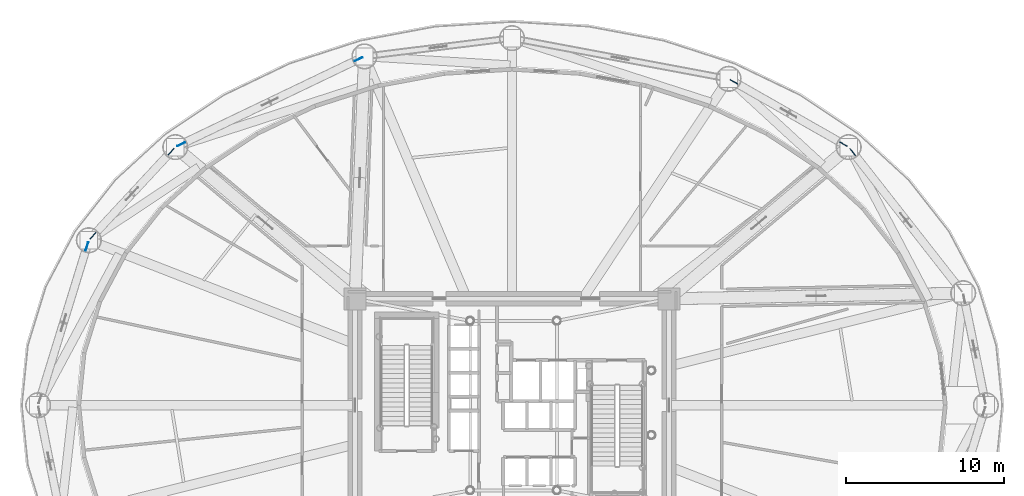
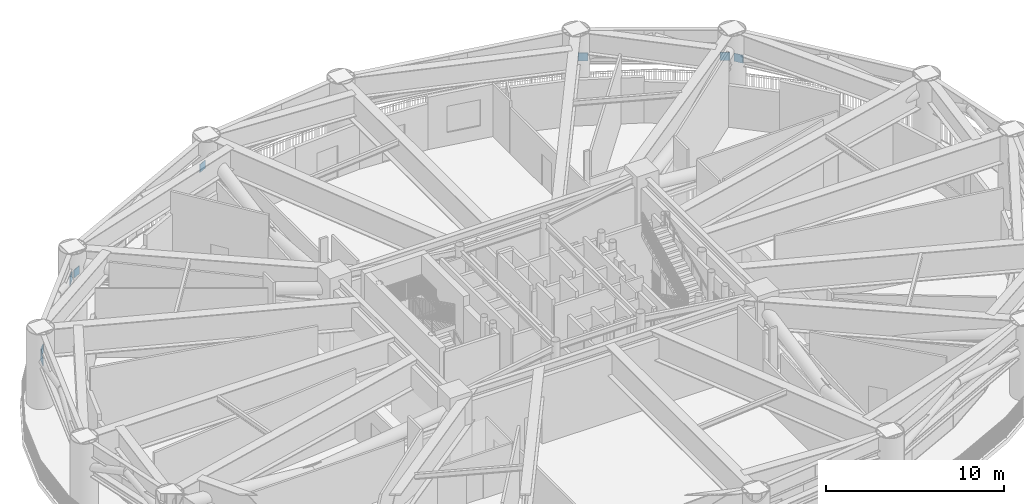
# One storey, part 10 of 22: 8 plates.
"""IFC4 building model written with IfcOpenShell, lengths in metres."""

from ifc_helpers import new_model, si_unit, direction, frame, origin, origin_2d, place, context, subcontext, project, spatial, rectangle, extrude, source, transform, mapped, material, layer, layer_set, type_object, element, save


model = new_model("IFC4")

# Units and contexts
model_context = context("Model", 3, precision=1e-05, world=origin(), true_north=direction((0.0, 1.0)))
body_context = subcontext(model_context, "Body", "Model", "MODEL_VIEW")
ifc_project = project(units=[si_unit("LENGTHUNIT", "METRE"), si_unit("AREAUNIT", "SQUARE_METRE"), si_unit("VOLUMEUNIT", "CUBIC_METRE"), si_unit("PLANEANGLEUNIT", "RADIAN"), si_unit("MASSUNIT", "GRAM", prefix="KILO")], contexts=[model_context])

# Site, building, storey
site_placement = place(None, origin())
site = spatial("IfcSite", under=ifc_project, at=site_placement, CompositionType="ELEMENT")
building_placement = place(site_placement, origin())
building = spatial("IfcBuilding", under=site, at=building_placement, Name="Linh Dai School and Residence Tower", CompositionType="ELEMENT")
storey_placement = place(building_placement, frame((0.0, 0.0, 87.0)))
storey = spatial("IfcBuildingStorey", under=building, at=storey_placement, Name="L20", CompositionType="ELEMENT", Elevation=87.0)

# Plates
ifc_material = material(Name="Structural Steel S355JR", Category="steel")
ifc_layer = layer(ifc_material, 0.0400390625)
ifc_layer_set = layer_set([ifc_layer], Name="Structural Steel S355JR")
plate_type = type_object("IfcPlateType", Name="PLT-GP1", PredefinedType="USERDEFINED", material=ifc_layer_set)
shared_shape = source(origin(), body_context, "Body", "SweptSolid", [
    extrude(rectangle(XDim=0.550048828125, YDim=0.0400390625, at=origin_2d()), origin(), (0.0, 0.0, 1.0), 0.550048828125),
])
for number, where, z_axis, x_axis, name in (
    (1, (57.603271484375, 43.049560546875, 2.8818359375), (0.0, 0.0, 1.0), (-0.616865363532, 0.787068690315, 0.0), "L20 Belt Truss BT2 Root End Gusset 02B"),
    (2, (57.008544921875, 43.56494140625, 2.9150390625), (0.0, 0.0, 1.0), (-0.869278262826, 0.494323074293, 0.0), "L20 Belt Truss BT2 Root End Gusset 03A"),
    (3, (50.08251953125, 47.50341796875, 2.9150390625), (0.0, 0.0, 1.0), (-0.869278262826, 0.494323074293, 0.0), "L20 Belt Truss BT2 Root End Gusset 03B"),
    (4, (26.2734375, 48.94287109375, 2.8701171875), (0.0, 0.0, 1.0), (-0.901726332669, -0.432307322367, 0.0), "L20 Belt Truss BT2 Root End Gusset 06A"),
    (5, (15.01611328125, 43.5458984375, 2.8701171875), (0.0, 0.0, 1.0), (-0.901726332669, -0.432307322367, 0.0), "L20 Belt Truss BT2 Root End Gusset 06B"),
    (6, (14.380615234375, 43.081787109375, 2.92578125), (0.0, 0.0, 1.0), (-0.68039596357, -0.73284468529, 0.0), "L20 Belt Truss BT2 Root End Gusset 07A"),
    (7, (9.43115234375, 37.7509765625, 2.92578125), (0.0, 0.0, 1.0), (-0.68039596357, -0.73284468529, 0.0), "L20 Belt Truss BT2 Root End Gusset 07B"),
    (8, (9.0458984375, 37.077392578125, 2.8896484375), (0.0, 0.0, 1.0), (-0.293657555286, -0.955910686321, 0.0), "L20 Belt Truss BT2 Root End Gusset 08A"),
):
    element("IfcPlate", number, at=place(storey_placement, frame(where, z_axis=z_axis, x_axis=x_axis)), inside=storey, type_object=plate_type, Name=name, ObjectType="GUSSET PLATE", PredefinedType="USERDEFINED", context=body_context, shape_type="MappedRepresentation", body=[
        mapped(shared_shape, transform((0.0, 0.0, 0.0), x_axis=(1.0, 0.0, 0.0), y_axis=(0.0, 1.0, 0.0), z_axis=(0.0, 0.0, 1.0), scale=1.0)),
    ])

save(model, "model.ifc")
